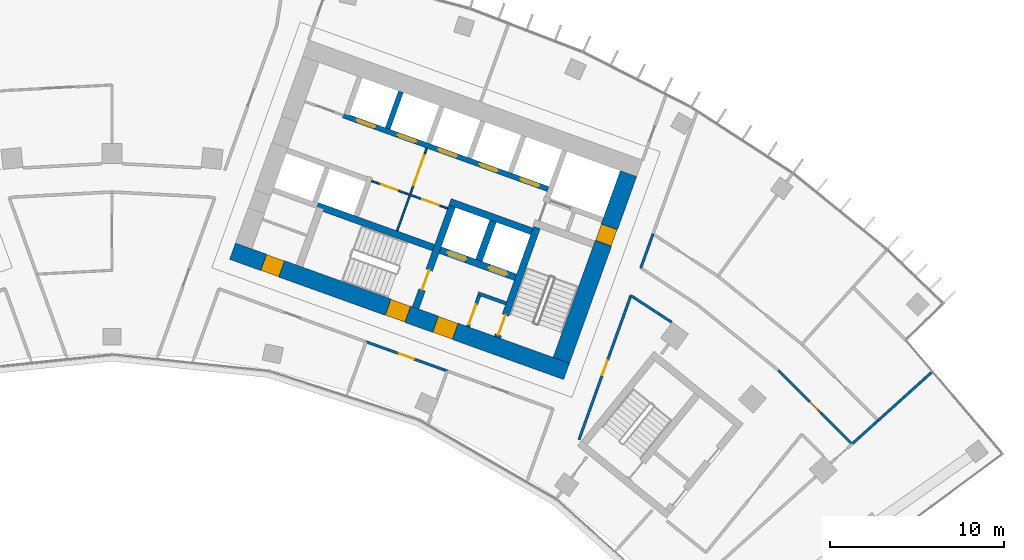
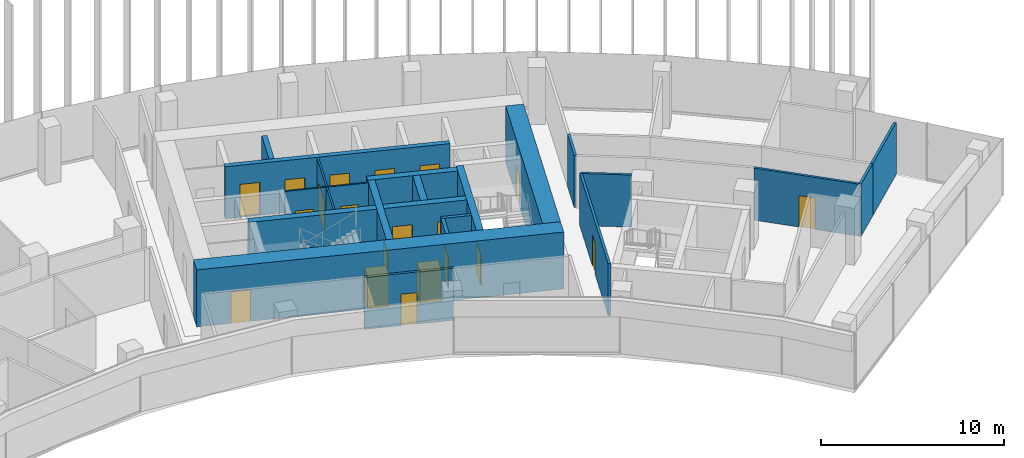
# One storey, part 16 of 20: 20 doors, 20 walls, 20 openings.
"""IFC4 building model written with IfcOpenShell, lengths in metres."""

from ifc_helpers import new_model, si_unit, direction, frame, frame_2d, origin, place, context, subcontext, project, spatial, rectangle, extrude, material, layer, layer_set, type_object, element, fill, save


model = new_model("IFC4")

# Units and contexts
model_context = context("Model", 3, precision=1e-05, world=origin(), true_north=direction((0.0, 1.0)))
body_context = subcontext(model_context, "Body", "Model", "MODEL_VIEW")
ifc_project = project(units=[si_unit("LENGTHUNIT", "METRE"), si_unit("AREAUNIT", "SQUARE_METRE"), si_unit("VOLUMEUNIT", "CUBIC_METRE"), si_unit("PLANEANGLEUNIT", "RADIAN"), si_unit("MASSUNIT", "GRAM", prefix="KILO")], contexts=[model_context])

# Site, building, storey
site_placement = place(None, origin())
site = spatial("IfcSite", under=ifc_project, at=site_placement, CompositionType="ELEMENT")
building_placement = place(site_placement, origin())
building = spatial("IfcBuilding", under=site, at=building_placement, Name="Stone Belt Terrace Tower", CompositionType="ELEMENT")
storey_placement = place(building_placement, frame((0.0, 0.0, 201.0)))
storey = spatial("IfcBuildingStorey", under=building, at=storey_placement, Name="L48", CompositionType="ELEMENT", Elevation=201.0)

# Wall, openings, doors
ifc_material_1 = material(Name="Plasterboard partition")
ifc_layer_1 = layer(ifc_material_1, 0.10009765625)
ifc_layer_set_1 = layer_set([ifc_layer_1], Name="Core partition 100")
wall_type_1 = type_object("IfcWallType", Name="Core partition 100", PredefinedType="PARTITIONING", material=ifc_layer_set_1)
wall_1_placement = place(storey_placement, frame((19.29052734375, 51.829833984375, 0.0), z_axis=(0.0, 0.0, 1.0), x_axis=(-0.940930240745, 0.338600475563, 0.0)))
wall_1 = element("IfcWall", 1, at=wall_1_placement, inside=storey, type_object=wall_type_1, Name="Core B wall", PredefinedType="PARTITIONING", context=body_context, shape_type="SweptSolid", body=[
    extrude(rectangle(XDim=4.64990234375, YDim=0.10009765625, at=frame_2d((2.324951171875, 0.0))), origin(), (0.0, 0.0, 1.0), 3.47998046875),
])
opening_1_placement = place(wall_1_placement, frame((0.550048828125, 0.0, 0.0)))
opening_1 = element("IfcOpeningElement", 2, at=opening_1_placement, cuts=wall_1, Name="Opening L48-C16", PredefinedType="OPENING", context=body_context, shape_type="SweptSolid", body=[
    extrude(rectangle(XDim=1.0, YDim=2.10009765625, at=frame_2d((0.5, 1.050048828125))), frame((0.0, 0.06005859375, 0.0), z_axis=(0.0, -1.0, 0.0), x_axis=(1.0, 0.0, 0.0)), (0.0, 0.0, 1.0), 0.1201171875),
])
opening_2_placement = place(wall_1_placement, frame((3.050048828125, 0.0, 0.0)))
opening_2 = element("IfcOpeningElement", 3, at=opening_2_placement, cuts=wall_1, Name="Opening L48-C17", PredefinedType="OPENING", context=body_context, shape_type="SweptSolid", body=[
    extrude(rectangle(XDim=1.0, YDim=2.10009765625, at=frame_2d((0.5, 1.050048828125))), frame((0.0, 0.06005859375, 0.0), z_axis=(0.0, -1.0, 0.0), x_axis=(1.0, 0.0, 0.0)), (0.0, 0.0, 1.0), 0.1201171875),
])
ifc_material_2 = material(Name="Timber door leaf", Category="wood")
door_type_1 = type_object("IfcDoorType", Name="Core room door 1000", OperationType="SINGLE_SWING_LEFT", PredefinedType="DOOR", material=ifc_material_2)
door_1_placement = place(opening_1_placement, origin())
door_1 = element("IfcDoor", 4, at=door_1_placement, inside=storey, type_object=door_type_1, Name="Door to Telecommunications room core B", OperationType="SINGLE_SWING_RIGHT", OverallHeight=2.10009765625, OverallWidth=1.0, PredefinedType="DOOR", context=body_context, shape_type="SweptSolid", body=[
    extrude(rectangle(XDim=1.0, YDim=2.10009765625, at=frame_2d((0.5, 1.050048828125))), frame((0.0, 0.02490234375, 0.0), z_axis=(0.0, -1.0, 0.0), x_axis=(1.0, 0.0, 0.0)), (0.0, 0.0, 1.0), 0.050048828125),
])
fill(opening_1, door_1)
door_2_placement = place(opening_2_placement, origin())
door_2 = element("IfcDoor", 5, at=door_2_placement, inside=storey, type_object=door_type_1, Name="Door to Archive store core B", OperationType="SINGLE_SWING_LEFT", OverallHeight=2.10009765625, OverallWidth=1.0, PredefinedType="DOOR", context=body_context, shape_type="SweptSolid", body=[
    extrude(rectangle(XDim=1.0, YDim=2.10009765625, at=frame_2d((0.5, 1.050048828125))), frame((0.0, 0.02490234375, 0.0), z_axis=(0.0, -1.0, 0.0), x_axis=(1.0, 0.0, 0.0)), (0.0, 0.0, 1.0), 0.050048828125),
])
fill(opening_2, door_2)

# Wall, opening, door
wall_2_placement = place(storey_placement, frame((16.38134765625, 50.53857421875, 0.0), z_axis=(0.0, 0.0, 1.0), x_axis=(0.33860476744, 0.940928696271, 0.0)))
wall_2 = element("IfcWall", 6, at=wall_2_placement, inside=storey, type_object=wall_type_1, Name="Core B wall", PredefinedType="PARTITIONING", context=body_context, shape_type="SweptSolid", body=[
    extrude(rectangle(XDim=5.050048828125, YDim=0.10009765625, at=frame_2d((2.52490234375, 0.0))), origin(), (0.0, 0.0, 1.0), 3.47998046875),
])
opening_3_placement = place(wall_2_placement, frame((2.800048828125, 0.0, 0.0)))
opening_3 = element("IfcOpeningElement", 7, at=opening_3_placement, cuts=wall_2, Name="Opening L48-C20", PredefinedType="OPENING", context=body_context, shape_type="SweptSolid", body=[
    extrude(rectangle(XDim=1.800048828125, YDim=2.10009765625, at=frame_2d((0.89990234375, 1.050048828125))), frame((0.0, 0.06005859375, 0.0), z_axis=(0.0, -1.0, 0.0), x_axis=(1.0, 0.0, 0.0)), (0.0, 0.0, 1.0), 0.1201171875),
])
ifc_material_3 = material(Name="Glazed aluminium door leaf", Category="aluminium")
door_type_2 = type_object("IfcDoorType", Name="Lift lobby entrance door 1800", OperationType="DOUBLE_DOOR_SINGLE_SWING", PredefinedType="DOOR", material=ifc_material_3)
door_3_placement = place(opening_3_placement, origin())
door_3 = element("IfcDoor", 8, at=door_3_placement, inside=storey, type_object=door_type_2, Name="Lift lobby double door core B", OperationType="DOUBLE_DOOR_SINGLE_SWING", OverallHeight=2.10009765625, OverallWidth=1.800048828125, PredefinedType="DOOR", context=body_context, shape_type="SweptSolid", body=[
    extrude(rectangle(XDim=1.800048828125, YDim=2.10009765625, at=frame_2d((0.89990234375, 1.050048828125))), frame((0.0, 0.02490234375, 0.0), z_axis=(0.0, -1.0, 0.0), x_axis=(1.0, 0.0, 0.0)), (0.0, 0.0, 1.0), 0.050048828125),
])
fill(opening_3, door_3)

# Wall, openings, doors
ifc_material_4 = material(Name="Concrete B60", Category="concrete")
ifc_layer_2 = layer(ifc_material_4, 1.0)
ifc_layer_set_2 = layer_set([ifc_layer_2], Name="Core wall 1000 B60")
wall_type_2 = type_object("IfcWallType", Name="Core wall 1000 B60", PredefinedType="SHEAR", material=ifc_layer_set_2)
wall_3_placement = place(storey_placement, frame((6.927490234375, 49.370849609375, 0.0), z_axis=(0.0, 0.0, 1.0), x_axis=(0.940921428504, -0.338624962727, 0.0)))
wall_3 = element("IfcWall", 9, at=wall_3_placement, inside=storey, type_object=wall_type_2, Name="Core B wall concave L48", PredefinedType="SHEAR", context=body_context, shape_type="SweptSolid", body=[
    extrude(rectangle(XDim=20.400146484375, YDim=1.0, at=frame_2d((10.2001953125, 0.0))), origin(), (0.0, 0.0, 1.0), 3.800048828125),
])
opening_4_placement = place(wall_3_placement, frame((12.39990234375, 0.0, 0.0)))
opening_4 = element("IfcOpeningElement", 10, at=opening_4_placement, cuts=wall_3, Name="Opening L48-C24", PredefinedType="OPENING", context=body_context, shape_type="SweptSolid", body=[
    extrude(rectangle(XDim=1.199951171875, YDim=2.10009765625, at=frame_2d((0.60009765625, 1.050048828125))), frame((0.0, 0.510009765625, 0.0), z_axis=(0.0, -1.0, 0.0), x_axis=(1.0, 0.0, 0.0)), (0.0, 0.0, 1.0), 1.02001953125),
])
opening_5_placement = place(wall_3_placement, frame((9.5, 0.0, 0.0)))
opening_5 = element("IfcOpeningElement", 11, at=opening_5_placement, cuts=wall_3, Name="Opening L48-C26", PredefinedType="OPENING", context=body_context, shape_type="SweptSolid", body=[
    extrude(rectangle(XDim=1.199951171875, YDim=2.10009765625, at=frame_2d((0.60009765625, 1.050048828125))), frame((0.0, 0.510009765625, 0.0), z_axis=(0.0, -1.0, 0.0), x_axis=(1.0, 0.0, 0.0)), (0.0, 0.0, 1.0), 1.02001953125),
])
opening_6_placement = place(wall_3_placement, frame((1.89990234375, 0.0, 0.0)))
opening_6 = element("IfcOpeningElement", 12, at=opening_6_placement, cuts=wall_3, Name="Opening L48-C28", PredefinedType="OPENING", context=body_context, shape_type="SweptSolid", body=[
    extrude(rectangle(XDim=1.10009765625, YDim=2.10009765625, at=frame_2d((0.550048828125, 1.050048828125))), frame((0.0, 0.510009765625, 0.0), z_axis=(0.0, -1.0, 0.0), x_axis=(1.0, 0.0, 0.0)), (0.0, 0.0, 1.0), 1.02001953125),
])
door_type_3 = type_object("IfcDoorType", Name="Core room door 1100", OperationType="SINGLE_SWING_LEFT", PredefinedType="DOOR", material=ifc_material_2)
door_4_placement = place(opening_6_placement, origin())
door_4 = element("IfcDoor", 13, at=door_4_placement, inside=storey, type_object=door_type_3, Name="Door to Cleaner's store core B", OperationType="SINGLE_SWING_RIGHT", OverallHeight=2.10009765625, OverallWidth=1.10009765625, PredefinedType="DOOR", context=body_context, shape_type="SweptSolid", body=[
    extrude(rectangle(XDim=1.10009765625, YDim=2.10009765625, at=frame_2d((0.550048828125, 1.050048828125))), frame((0.0, 0.47998046875, 0.0), z_axis=(0.0, -1.0, 0.0), x_axis=(1.0, 0.0, 0.0)), (0.0, 0.0, 1.0), 0.9599609375),
])
fill(opening_6, door_4)
ifc_material_5 = material(Name="Steel door leaf", Category="steel")
door_type_4 = type_object("IfcDoorType", Name="Fire-fighting lobby door 1200", OperationType="SINGLE_SWING_LEFT", PredefinedType="DOOR", material=ifc_material_5)
door_5_placement = place(opening_4_placement, origin())
door_5 = element("IfcDoor", 14, at=door_5_placement, inside=storey, type_object=door_type_4, Name="Fire-fighting lobby door core B", OperationType="SINGLE_SWING_RIGHT", OverallHeight=2.10009765625, OverallWidth=1.199951171875, PredefinedType="DOOR", context=body_context, shape_type="SweptSolid", body=[
    extrude(rectangle(XDim=1.199951171875, YDim=2.10009765625, at=frame_2d((0.60009765625, 1.050048828125))), frame((0.0, 0.47998046875, 0.0), z_axis=(0.0, -1.0, 0.0), x_axis=(1.0, 0.0, 0.0)), (0.0, 0.0, 1.0), 0.9599609375),
])
fill(opening_4, door_5)
door_type_5 = type_object("IfcDoorType", Name="Stair door 1200", OperationType="SINGLE_SWING_LEFT", PredefinedType="DOOR", material=ifc_material_5)
door_6_placement = place(opening_5_placement, origin())
door_6 = element("IfcDoor", 15, at=door_6_placement, inside=storey, type_object=door_type_5, Name="Stair 2 exit door core B", OperationType="SINGLE_SWING_LEFT", OverallHeight=2.10009765625, OverallWidth=1.199951171875, PredefinedType="DOOR", context=body_context, shape_type="SweptSolid", body=[
    extrude(rectangle(XDim=1.199951171875, YDim=2.10009765625, at=frame_2d((0.60009765625, 1.050048828125))), frame((0.0, 0.47998046875, 0.0), z_axis=(0.0, -1.0, 0.0), x_axis=(1.0, 0.0, 0.0)), (0.0, 0.0, 1.0), 0.9599609375),
])
fill(opening_5, door_6)

# Wall, opening, door
wall_4_placement = place(storey_placement, frame((25.821044921875, 43.102783203125, 0.0), z_axis=(0.0, 0.0, 1.0), x_axis=(0.338625431531, 0.940921259788, 0.0)))
wall_4 = element("IfcWall", 16, at=wall_4_placement, inside=storey, type_object=wall_type_2, Name="Core B wall end_b L48", PredefinedType="SHEAR", context=body_context, shape_type="SweptSolid", body=[
    extrude(rectangle(XDim=11.400146484375, YDim=1.0, at=frame_2d((5.7001953125, 0.0))), origin(), (0.0, 0.0, 1.0), 3.800048828125),
])
opening_7_placement = place(wall_4_placement, frame((7.14990234375, 0.0, 0.0)))
opening_7 = element("IfcOpeningElement", 17, at=opening_7_placement, cuts=wall_4, Name="Opening L48-C18", PredefinedType="OPENING", context=body_context, shape_type="SweptSolid", body=[
    extrude(rectangle(XDim=1.0, YDim=2.10009765625, at=frame_2d((0.5, 1.050048828125))), frame((0.0, 0.510009765625, 0.0), z_axis=(0.0, -1.0, 0.0), x_axis=(1.0, 0.0, 0.0)), (0.0, 0.0, 1.0), 1.02001953125),
])
door_7_placement = place(opening_7_placement, origin())
door_7 = element("IfcDoor", 18, at=door_7_placement, inside=storey, type_object=door_type_1, Name="Door to Telecommunications riser room core B", OperationType="SINGLE_SWING_LEFT", OverallHeight=2.10009765625, OverallWidth=1.0, PredefinedType="DOOR", context=body_context, shape_type="SweptSolid", body=[
    extrude(rectangle(XDim=1.0, YDim=2.10009765625, at=frame_2d((0.5, 1.050048828125))), frame((0.0, 0.47998046875, 0.0), z_axis=(0.0, -1.0, 0.0), x_axis=(1.0, 0.0, 0.0)), (0.0, 0.0, 1.0), 0.949951171875),
])
fill(opening_7, door_7)

# Walls
ifc_material_6 = material(Name="Concrete B80", Category="concrete")
ifc_layer_3 = layer(ifc_material_6, 0.39990234375)
ifc_layer_set_3 = layer_set([ifc_layer_3], Name="Fire-fighting lift shaft wall 400")
wall_type_3 = type_object("IfcWallType", Name="Fire-fighting lift shaft wall 400", PredefinedType="SHEAR", material=ifc_layer_set_3)
wall_5_placement = place(storey_placement, frame((24.130615234375, 50.512939453125, 0.0), z_axis=(0.0, 0.0, 1.0), x_axis=(-0.94091168377, 0.338652038744, 0.0)))
element("IfcWall", 19, at=wall_5_placement, inside=storey, type_object=wall_type_3, Name="Core B wall", PredefinedType="SHEAR", context=body_context, shape_type="SweptSolid", body=[
    extrude(rectangle(XDim=5.000244140625, YDim=0.39990234375, at=frame_2d((2.5, 0.0))), origin(), (0.0, 0.0, 1.0), 3.47998046875),
])
wall_6_placement = place(storey_placement, frame((21.0859375, 48.845458984375, 0.0), z_axis=(0.0, 0.0, 1.0), x_axis=(0.338629416206, 0.940919825745, 0.0)))
element("IfcWall", 20, at=wall_6_placement, inside=storey, type_object=wall_type_3, Name="Core B wall", PredefinedType="SHEAR", context=body_context, shape_type="SweptSolid", body=[
    extrude(rectangle(XDim=2.400146484375, YDim=0.39990234375, at=frame_2d((1.2001953125, 0.0))), origin(), (0.0, 0.0, 1.0), 3.47998046875),
])

# Wall, openings, doors
ifc_layer_4 = layer(ifc_material_6, 0.300048828125)
ifc_layer_set_4 = layer_set([ifc_layer_4], Name="Lift shaft wall 300")
wall_type_4 = type_object("IfcWallType", Name="Lift shaft wall 300", PredefinedType="SHEAR", material=ifc_layer_set_4)
wall_7_placement = place(storey_placement, frame((25.05810546875, 52.9423828125, 0.0), z_axis=(0.0, 0.0, 1.0), x_axis=(-0.940920770291, 0.338626791666, 0.0)))
wall_7 = element("IfcWall", 21, at=wall_7_placement, inside=storey, type_object=wall_type_4, Name="Core B wall", PredefinedType="SHEAR", context=body_context, shape_type="SweptSolid", body=[
    extrude(rectangle(XDim=12.500244140625, YDim=0.300048828125, at=frame_2d((6.25, 0.0))), origin(), (0.0, 0.0, 1.0), 3.47998046875),
])
opening_8_placement = place(wall_7_placement, frame((0.570068359375, 0.0, 0.0)))
opening_8 = element("IfcOpeningElement", 22, at=opening_8_placement, cuts=wall_7, Name="Opening L48-LD09", PredefinedType="OPENING", context=body_context, shape_type="SweptSolid", body=[
    extrude(rectangle(XDim=1.10009765625, YDim=2.199951171875, at=frame_2d((0.550048828125, 1.10009765625))), frame((0.0, 0.159912109375, 0.0), z_axis=(0.0, -1.0, 0.0), x_axis=(1.0, 0.0, 0.0)), (0.0, 0.0, 1.0), 0.320068359375),
])
opening_9_placement = place(wall_7_placement, frame((3.070068359375, 0.0, 0.0)))
opening_9 = element("IfcOpeningElement", 23, at=opening_9_placement, cuts=wall_7, Name="Opening L48-LD10", PredefinedType="OPENING", context=body_context, shape_type="SweptSolid", body=[
    extrude(rectangle(XDim=1.10009765625, YDim=2.199951171875, at=frame_2d((0.550048828125, 1.10009765625))), frame((0.0, 0.159912109375, 0.0), z_axis=(0.0, -1.0, 0.0), x_axis=(1.0, 0.0, 0.0)), (0.0, 0.0, 1.0), 0.320068359375),
])
opening_10_placement = place(wall_7_placement, frame((5.570068359375, 0.0, 0.0)))
opening_10 = element("IfcOpeningElement", 24, at=opening_10_placement, cuts=wall_7, Name="Opening L48-LD11", PredefinedType="OPENING", context=body_context, shape_type="SweptSolid", body=[
    extrude(rectangle(XDim=1.10009765625, YDim=2.199951171875, at=frame_2d((0.550048828125, 1.10009765625))), frame((0.0, 0.159912109375, 0.0), z_axis=(0.0, -1.0, 0.0), x_axis=(1.0, 0.0, 0.0)), (0.0, 0.0, 1.0), 0.320068359375),
])
opening_11_placement = place(wall_7_placement, frame((8.070068359375, 0.0, 0.0)))
opening_11 = element("IfcOpeningElement", 25, at=opening_11_placement, cuts=wall_7, Name="Opening L48-LD12", PredefinedType="OPENING", context=body_context, shape_type="SweptSolid", body=[
    extrude(rectangle(XDim=1.10009765625, YDim=2.199951171875, at=frame_2d((0.550048828125, 1.10009765625))), frame((0.0, 0.159912109375, 0.0), z_axis=(0.0, -1.0, 0.0), x_axis=(1.0, 0.0, 0.0)), (0.0, 0.0, 1.0), 0.320068359375),
])
opening_12_placement = place(wall_7_placement, frame((10.570068359375, 0.0, 0.0)))
opening_12 = element("IfcOpeningElement", 26, at=opening_12_placement, cuts=wall_7, Name="Opening L48-LD13", PredefinedType="OPENING", context=body_context, shape_type="SweptSolid", body=[
    extrude(rectangle(XDim=1.10009765625, YDim=2.199951171875, at=frame_2d((0.550048828125, 1.10009765625))), frame((0.0, 0.159912109375, 0.0), z_axis=(0.0, -1.0, 0.0), x_axis=(1.0, 0.0, 0.0)), (0.0, 0.0, 1.0), 0.320068359375),
])
ifc_material_7 = material(Name="Stainless steel door leaf", Category="steel")
door_type_6 = type_object("IfcDoorType", Name="Landing door 1100", OperationType="SLIDING_TO_LEFT", PredefinedType="DOOR", material=ifc_material_7)
door_8_placement = place(opening_8_placement, origin())
door_8 = element("IfcDoor", 27, at=door_8_placement, inside=storey, type_object=door_type_6, Name="Landing door MR1 core B", OperationType="SLIDING_TO_LEFT", OverallHeight=2.199951171875, OverallWidth=1.10009765625, PredefinedType="DOOR", context=body_context, shape_type="SweptSolid", body=[
    extrude(rectangle(XDim=1.10009765625, YDim=2.199951171875, at=frame_2d((0.550048828125, 1.10009765625))), frame((0.0, 0.02490234375, 0.0), z_axis=(0.0, -1.0, 0.0), x_axis=(1.0, 0.0, 0.0)), (0.0, 0.0, 1.0), 0.050048828125),
])
fill(opening_8, door_8)
door_9_placement = place(opening_9_placement, origin())
door_9 = element("IfcDoor", 28, at=door_9_placement, inside=storey, type_object=door_type_6, Name="Landing door MR2 core B", OperationType="SLIDING_TO_LEFT", OverallHeight=2.199951171875, OverallWidth=1.10009765625, PredefinedType="DOOR", context=body_context, shape_type="SweptSolid", body=[
    extrude(rectangle(XDim=1.10009765625, YDim=2.199951171875, at=frame_2d((0.550048828125, 1.10009765625))), frame((0.0, 0.02490234375, 0.0), z_axis=(0.0, -1.0, 0.0), x_axis=(1.0, 0.0, 0.0)), (0.0, 0.0, 1.0), 0.050048828125),
])
fill(opening_9, door_9)
door_10_placement = place(opening_10_placement, origin())
door_10 = element("IfcDoor", 29, at=door_10_placement, inside=storey, type_object=door_type_6, Name="Landing door MR3 core B", OperationType="SLIDING_TO_LEFT", OverallHeight=2.199951171875, OverallWidth=1.10009765625, PredefinedType="DOOR", context=body_context, shape_type="SweptSolid", body=[
    extrude(rectangle(XDim=1.10009765625, YDim=2.199951171875, at=frame_2d((0.550048828125, 1.10009765625))), frame((0.0, 0.02490234375, 0.0), z_axis=(0.0, -1.0, 0.0), x_axis=(1.0, 0.0, 0.0)), (0.0, 0.0, 1.0), 0.050048828125),
])
fill(opening_10, door_10)
door_11_placement = place(opening_11_placement, origin())
door_11 = element("IfcDoor", 30, at=door_11_placement, inside=storey, type_object=door_type_6, Name="Landing door MR4 core B", OperationType="SLIDING_TO_LEFT", OverallHeight=2.199951171875, OverallWidth=1.10009765625, PredefinedType="DOOR", context=body_context, shape_type="SweptSolid", body=[
    extrude(rectangle(XDim=1.10009765625, YDim=2.199951171875, at=frame_2d((0.550048828125, 1.10009765625))), frame((0.0, 0.02490234375, 0.0), z_axis=(0.0, -1.0, 0.0), x_axis=(1.0, 0.0, 0.0)), (0.0, 0.0, 1.0), 0.050048828125),
])
fill(opening_11, door_11)
door_12_placement = place(opening_12_placement, origin())
door_12 = element("IfcDoor", 31, at=door_12_placement, inside=storey, type_object=door_type_6, Name="Landing door MR5 core B", OperationType="SLIDING_TO_LEFT", OverallHeight=2.199951171875, OverallWidth=1.10009765625, PredefinedType="DOOR", context=body_context, shape_type="SweptSolid", body=[
    extrude(rectangle(XDim=1.10009765625, YDim=2.199951171875, at=frame_2d((0.550048828125, 1.10009765625))), frame((0.0, 0.02490234375, 0.0), z_axis=(0.0, -1.0, 0.0), x_axis=(1.0, 0.0, 0.0)), (0.0, 0.0, 1.0), 0.050048828125),
])
fill(opening_12, door_12)

# Wall
wall_8_placement = place(storey_placement, frame((15.8408203125, 56.419189453125, 0.0), z_axis=(0.0, 0.0, 1.0), x_axis=(0.338569601369, 0.940941350472, 0.0)))
element("IfcWall", 32, at=wall_8_placement, inside=storey, type_object=wall_type_4, Name="Core B wall", PredefinedType="SHEAR", context=body_context, shape_type="SweptSolid", body=[
    extrude(rectangle(XDim=2.249755859375, YDim=0.300048828125, at=frame_2d((1.125, 0.0))), origin(), (0.0, 0.0, 1.0), 3.47998046875),
])

# Wall, opening, door
ifc_material_8 = material(Name="Gypsum board partition")
ifc_layer_5 = layer(ifc_material_8, 0.14990234375)
ifc_layer_set_5 = layer_set([ifc_layer_5], Name="PARTITION 150 EI 60")
wall_type_5 = type_object("IfcWallType", Name="PARTITION 150 EI 60", PredefinedType="PARTITIONING", material=ifc_layer_set_5)
wall_9_placement = place(storey_placement, frame((29.819091796875, 46.826904296875, 0.0), z_axis=(0.0, 0.0, 1.0), x_axis=(-0.338620385032, -0.940923075942, 0.0)))
wall_9 = element("IfcWall", 33, at=wall_9_placement, inside=storey, type_object=wall_type_5, Name="L48/wall/i027", PredefinedType="PARTITIONING", context=body_context, shape_type="SweptSolid", body=[
    extrude(rectangle(XDim=8.8125, YDim=0.14990234375, at=frame_2d((4.40625, 0.0))), origin(), (0.0, 0.0, 1.0), 3.47998046875),
])
opening_13_placement = place(wall_9_placement, frame((3.956298828125, 0.0, 0.0)))
opening_13 = element("IfcOpeningElement", 34, at=opening_13_placement, cuts=wall_9, Name="Opening D-D1-12", PredefinedType="OPENING", context=body_context, shape_type="SweptSolid", body=[
    extrude(rectangle(XDim=0.89990234375, YDim=2.10009765625, at=frame_2d((0.449951171875, 1.050048828125))), frame((0.0, 0.0849609375, 0.0), z_axis=(0.0, -1.0, 0.0), x_axis=(1.0, 0.0, 0.0)), (0.0, 0.0, 1.0), 0.169921875),
])
door_type_7 = type_object("IfcDoorType", Name="OFFICE DOOR 900 X 2100", OperationType="NOTDEFINED", PredefinedType="DOOR", material=ifc_material_2)
door_13_placement = place(opening_13_placement, origin())
door_13 = element("IfcDoor", 35, at=door_13_placement, inside=storey, type_object=door_type_7, Name="L48/door/i12", OperationType="SINGLE_SWING_RIGHT", OverallHeight=2.10009765625, OverallWidth=0.89990234375, PredefinedType="DOOR", context=body_context, shape_type="SweptSolid", body=[
    extrude(rectangle(XDim=0.89990234375, YDim=2.10009765625, at=frame_2d((0.449951171875, 1.050048828125))), frame((0.0, 0.02490234375, 0.0), z_axis=(0.0, -1.0, 0.0), x_axis=(1.0, 0.0, 0.0)), (0.0, 0.0, 1.0), 0.050048828125),
])
fill(opening_13, door_13)

# Wall
wall_10_placement = place(storey_placement, frame((31.092041015625, 50.363037109375, 0.0), z_axis=(0.0, 0.0, 1.0), x_axis=(-0.338719468273, -0.940887411869, 0.0)))
element("IfcWall", 36, at=wall_10_placement, inside=storey, type_object=wall_type_5, Name="L48/wall/i030", PredefinedType="PARTITIONING", context=body_context, shape_type="SweptSolid", body=[
    extrude(rectangle(XDim=2.075927734375, YDim=0.14990234375, at=frame_2d((1.0380859375, 0.0))), origin(), (0.0, 0.0, 1.0), 3.47998046875),
])

# Wall, opening, door
wall_11_placement = place(storey_placement, frame((19.27001953125, 42.485107421875, 0.0), z_axis=(0.0, 0.0, 1.0), x_axis=(-0.940919972966, 0.338629007135, 0.0)))
wall_11 = element("IfcWall", 37, at=wall_11_placement, inside=storey, type_object=wall_type_5, Name="L48/wall/i033", PredefinedType="PARTITIONING", context=body_context, shape_type="SweptSolid", body=[
    extrude(rectangle(XDim=4.9697265625, YDim=0.14990234375, at=frame_2d((2.48486328125, 0.0))), origin(), (0.0, 0.0, 1.0), 3.47998046875),
])
opening_14_placement = place(wall_11_placement, frame((2.034912109375, 0.0, 0.0)))
opening_14 = element("IfcOpeningElement", 38, at=opening_14_placement, cuts=wall_11, Name="Opening D-D1-07", PredefinedType="OPENING", context=body_context, shape_type="SweptSolid", body=[
    extrude(rectangle(XDim=0.89990234375, YDim=2.10009765625, at=frame_2d((0.449951171875, 1.050048828125))), frame((0.0, 0.0849609375, 0.0), z_axis=(0.0, -1.0, 0.0), x_axis=(1.0, 0.0, 0.0)), (0.0, 0.0, 1.0), 0.169921875),
])
door_14_placement = place(opening_14_placement, origin())
door_14 = element("IfcDoor", 39, at=door_14_placement, inside=storey, type_object=door_type_7, Name="L48/door/i07", OperationType="SINGLE_SWING_RIGHT", OverallHeight=2.10009765625, OverallWidth=0.89990234375, PredefinedType="DOOR", context=body_context, shape_type="SweptSolid", body=[
    extrude(rectangle(XDim=0.89990234375, YDim=2.10009765625, at=frame_2d((0.449951171875, 1.050048828125))), frame((0.0, 0.02490234375, 0.0), z_axis=(0.0, -1.0, 0.0), x_axis=(1.0, 0.0, 0.0)), (0.0, 0.0, 1.0), 0.050048828125),
])
fill(opening_14, door_14)

# Walls
wall_12_placement = place(storey_placement, frame((42.52197265625, 38.287109375, 0.0), z_axis=(0.0, 0.0, 1.0), x_axis=(0.74306127458, 0.669223387382, 0.0)))
element("IfcWall", 40, at=wall_12_placement, inside=storey, type_object=wall_type_5, Name="L48/wall/i041", PredefinedType="PARTITIONING", context=body_context, shape_type="SweptSolid", body=[
    extrude(rectangle(XDim=2.033447265625, YDim=0.14990234375, at=frame_2d((1.0166015625, 0.0))), origin(), (0.0, 0.0, 1.0), 3.47998046875),
])
wall_13_placement = place(storey_placement, frame((44.02490234375, 39.639892578125, 0.0), z_axis=(0.0, 0.0, 1.0), x_axis=(0.743144572165, 0.66913088769, 0.0)))
element("IfcWall", 41, at=wall_13_placement, inside=storey, type_object=wall_type_5, Name="L48/wall/i042", PredefinedType="PARTITIONING", context=body_context, shape_type="SweptSolid", body=[
    extrude(rectangle(XDim=4.1396484375, YDim=0.14990234375, at=frame_2d((2.06982421875, 0.0))), origin(), (0.0, 0.0, 1.0), 3.47998046875),
])
wall_14_placement = place(storey_placement, frame((32.15869140625, 45.2919921875, 0.0), z_axis=(0.0, 0.0, 1.0), x_axis=(-0.837346388284, 0.546672686374, 0.0)))
element("IfcWall", 42, at=wall_14_placement, inside=storey, type_object=wall_type_5, Name="L48/wall/i044", PredefinedType="PARTITIONING", context=body_context, shape_type="SweptSolid", body=[
    extrude(rectangle(XDim=2.795166015625, YDim=0.14990234375, at=frame_2d((1.3974609375, 0.0))), origin(), (0.0, 0.0, 1.0), 3.47998046875),
])

# Wall, opening, door
wall_15_placement = place(storey_placement, frame((38.291015625, 42.52587890625, 0.0), z_axis=(0.0, 0.0, 1.0), x_axis=(0.707106781187, -0.707106781187, 0.0)))
wall_15 = element("IfcWall", 43, at=wall_15_placement, inside=storey, type_object=wall_type_5, Name="L48/wall/i048", PredefinedType="PARTITIONING", context=body_context, shape_type="SweptSolid", body=[
    extrude(rectangle(XDim=5.989013671875, YDim=0.14990234375, at=frame_2d((2.99462890625, 0.0))), origin(), (0.0, 0.0, 1.0), 3.47998046875),
])
opening_15_placement = place(wall_15_placement, frame((2.544677734375, 0.0, 0.0)))
opening_15 = element("IfcOpeningElement", 44, at=opening_15_placement, cuts=wall_15, Name="Opening D-D1-15", PredefinedType="OPENING", context=body_context, shape_type="SweptSolid", body=[
    extrude(rectangle(XDim=0.89990234375, YDim=2.10009765625, at=frame_2d((0.449951171875, 1.050048828125))), frame((0.0, 0.0849609375, 0.0), z_axis=(0.0, -1.0, 0.0), x_axis=(1.0, 0.0, 0.0)), (0.0, 0.0, 1.0), 0.169921875),
])
door_15_placement = place(opening_15_placement, origin())
door_15 = element("IfcDoor", 45, at=door_15_placement, inside=storey, type_object=door_type_7, Name="L48/door/i15", OperationType="SINGLE_SWING_RIGHT", OverallHeight=2.10009765625, OverallWidth=0.89990234375, PredefinedType="DOOR", context=body_context, shape_type="SweptSolid", body=[
    extrude(rectangle(XDim=0.89990234375, YDim=2.10009765625, at=frame_2d((0.449951171875, 1.050048828125))), frame((0.0, 0.02490234375, 0.0), z_axis=(0.0, -1.0, 0.0), x_axis=(1.0, 0.0, 0.0)), (0.0, 0.0, 1.0), 0.050048828125),
])
fill(opening_15, door_15)

# Wall
ifc_material_9 = material(Name="Concrete masonry block", Category="masonry")
ifc_layer_6 = layer(ifc_material_9, 0.199951171875)
ifc_layer_set_6 = layer_set([ifc_layer_6], Name="Rated lobby wall 200")
wall_type_6 = type_object("IfcWallType", Name="Rated lobby wall 200", PredefinedType="PARTITIONING", material=ifc_layer_set_6)
wall_16_placement = place(storey_placement, frame((22.640625, 46.373046875, 0.0), z_axis=(0.0, 0.0, 1.0), x_axis=(-0.940966110313, 0.338500781747, 0.0)))
element("IfcWall", 46, at=wall_16_placement, inside=storey, type_object=wall_type_6, Name="Core B wall", PredefinedType="PARTITIONING", context=body_context, shape_type="SweptSolid", body=[
    extrude(rectangle(XDim=1.699951171875, YDim=0.199951171875, at=frame_2d((0.85009765625, 0.0))), origin(), (0.0, 0.0, 1.0), 3.47998046875),
])

# Wall, opening, door
wall_17_placement = place(storey_placement, frame((20.4580078125, 45.032958984375, 0.0), z_axis=(0.0, 0.0, 1.0), x_axis=(0.338573865316, 0.940939816208, 0.0)))
wall_17 = element("IfcWall", 47, at=wall_17_placement, inside=storey, type_object=wall_type_6, Name="Core B wall", PredefinedType="PARTITIONING", context=body_context, shape_type="SweptSolid", body=[
    extrude(rectangle(XDim=1.900146484375, YDim=0.199951171875, at=frame_2d((0.9501953125, 0.0))), origin(), (0.0, 0.0, 1.0), 3.47998046875),
])
opening_16_placement = place(wall_17_placement, frame((0.14990234375, 0.0, 0.0)))
opening_16 = element("IfcOpeningElement", 48, at=opening_16_placement, cuts=wall_17, Name="Opening L48-C23", PredefinedType="OPENING", context=body_context, shape_type="SweptSolid", body=[
    extrude(rectangle(XDim=1.199951171875, YDim=2.10009765625, at=frame_2d((0.60009765625, 1.050048828125))), frame((0.0, 0.10986328125, 0.0), z_axis=(0.0, -1.0, 0.0), x_axis=(1.0, 0.0, 0.0)), (0.0, 0.0, 1.0), 0.219970703125),
])
door_16_placement = place(opening_16_placement, origin())
door_16 = element("IfcDoor", 49, at=door_16_placement, inside=storey, type_object=door_type_5, Name="Stair airlock door core B", OperationType="SINGLE_SWING_RIGHT", OverallHeight=2.10009765625, OverallWidth=1.199951171875, PredefinedType="DOOR", context=body_context, shape_type="SweptSolid", body=[
    extrude(rectangle(XDim=1.199951171875, YDim=2.10009765625, at=frame_2d((0.60009765625, 1.050048828125))), frame((0.0, 0.02490234375, 0.0), z_axis=(0.0, -1.0, 0.0), x_axis=(1.0, 0.0, 0.0)), (0.0, 0.0, 1.0), 0.050048828125),
])
fill(opening_16, door_16)

ifc_layer_7 = layer(ifc_material_6, 0.39990234375)
ifc_layer_set_7 = layer_set([ifc_layer_7], Name="Stair enclosure wall 400")
wall_type_7 = type_object("IfcWallType", Name="Stair enclosure wall 400", PredefinedType="SHEAR", material=ifc_layer_set_7)
wall_18_placement = place(storey_placement, frame((22.151611328125, 44.42333984375, 0.0), z_axis=(0.0, 0.0, 1.0), x_axis=(0.338625272931, 0.940921316866, 0.0)))
wall_18 = element("IfcWall", 50, at=wall_18_placement, inside=storey, type_object=wall_type_7, Name="Core B wall", PredefinedType="SHEAR", context=body_context, shape_type="SweptSolid", body=[
    extrude(rectangle(XDim=6.699951171875, YDim=0.39990234375, at=frame_2d((3.35009765625, 0.0))), origin(), (0.0, 0.0, 1.0), 3.47998046875),
])
opening_17_placement = place(wall_18_placement, frame((0.14990234375, 0.0, 0.0)))
opening_17 = element("IfcOpeningElement", 51, at=opening_17_placement, cuts=wall_18, Name="Opening L48-C22", PredefinedType="OPENING", context=body_context, shape_type="SweptSolid", body=[
    extrude(rectangle(XDim=1.199951171875, YDim=2.10009765625, at=frame_2d((0.60009765625, 1.050048828125))), frame((0.0, 0.2099609375, 0.0), z_axis=(0.0, -1.0, 0.0), x_axis=(1.0, 0.0, 0.0)), (0.0, 0.0, 1.0), 0.419921875),
])
door_17_placement = place(opening_17_placement, origin())
door_17 = element("IfcDoor", 52, at=door_17_placement, inside=storey, type_object=door_type_5, Name="Stair 1 door core B", OperationType="SINGLE_SWING_RIGHT", OverallHeight=2.10009765625, OverallWidth=1.199951171875, PredefinedType="DOOR", context=body_context, shape_type="SweptSolid", body=[
    extrude(rectangle(XDim=1.199951171875, YDim=2.10009765625, at=frame_2d((0.60009765625, 1.050048828125))), frame((0.0, 0.02490234375, 0.0), z_axis=(0.0, -1.0, 0.0), x_axis=(1.0, 0.0, 0.0)), (0.0, 0.0, 1.0), 0.050048828125),
])
fill(opening_17, door_17)

# Wall, openings, doors
wall_19_placement = place(storey_placement, frame((23.182373046875, 47.87841796875, 0.0), z_axis=(0.0, 0.0, 1.0), x_axis=(-0.940921101762, 0.338625870628, 0.0)))
wall_19 = element("IfcWall", 53, at=wall_19_placement, inside=storey, type_object=wall_type_7, Name="Core B wall", PredefinedType="SHEAR", context=body_context, shape_type="SweptSolid", body=[
    extrude(rectangle(XDim=12.10009765625, YDim=0.39990234375, at=frame_2d((6.050048828125, 0.0))), origin(), (0.0, 0.0, 1.0), 3.47998046875),
])
opening_18_placement = place(wall_19_placement, frame((0.52001953125, 0.0, 0.0)))
opening_18 = element("IfcOpeningElement", 54, at=opening_18_placement, cuts=wall_19, Name="Opening L48-LD14", PredefinedType="OPENING", context=body_context, shape_type="SweptSolid", body=[
    extrude(rectangle(XDim=1.10009765625, YDim=2.199951171875, at=frame_2d((0.550048828125, 1.10009765625))), frame((0.0, 0.2099609375, 0.0), z_axis=(0.0, -1.0, 0.0), x_axis=(1.0, 0.0, 0.0)), (0.0, 0.0, 1.0), 0.419921875),
])
opening_19_placement = place(wall_19_placement, frame((3.02001953125, 0.0, 0.0)))
opening_19 = element("IfcOpeningElement", 55, at=opening_19_placement, cuts=wall_19, Name="Opening L48-LD15", PredefinedType="OPENING", context=body_context, shape_type="SweptSolid", body=[
    extrude(rectangle(XDim=1.10009765625, YDim=2.199951171875, at=frame_2d((0.550048828125, 1.10009765625))), frame((0.0, 0.2099609375, 0.0), z_axis=(0.0, -1.0, 0.0), x_axis=(1.0, 0.0, 0.0)), (0.0, 0.0, 1.0), 0.419921875),
])
door_18_placement = place(opening_18_placement, origin())
door_18 = element("IfcDoor", 56, at=door_18_placement, inside=storey, type_object=door_type_6, Name="Landing door FF1 core B", OperationType="SLIDING_TO_LEFT", OverallHeight=2.199951171875, OverallWidth=1.10009765625, PredefinedType="DOOR", context=body_context, shape_type="SweptSolid", body=[
    extrude(rectangle(XDim=1.10009765625, YDim=2.199951171875, at=frame_2d((0.550048828125, 1.10009765625))), frame((0.0, 0.02490234375, 0.0), z_axis=(0.0, -1.0, 0.0), x_axis=(1.0, 0.0, 0.0)), (0.0, 0.0, 1.0), 0.050048828125),
])
fill(opening_18, door_18)
door_19_placement = place(opening_19_placement, origin())
door_19 = element("IfcDoor", 57, at=door_19_placement, inside=storey, type_object=door_type_6, Name="Landing door FF2 core B", OperationType="SLIDING_TO_LEFT", OverallHeight=2.199951171875, OverallWidth=1.10009765625, PredefinedType="DOOR", context=body_context, shape_type="SweptSolid", body=[
    extrude(rectangle(XDim=1.10009765625, YDim=2.199951171875, at=frame_2d((0.550048828125, 1.10009765625))), frame((0.0, 0.02490234375, 0.0), z_axis=(0.0, -1.0, 0.0), x_axis=(1.0, 0.0, 0.0)), (0.0, 0.0, 1.0), 0.050048828125),
])
fill(opening_19, door_19)

# Wall, opening, door
wall_20_placement = place(storey_placement, frame((17.447021484375, 46.116455078125, 0.0), z_axis=(0.0, 0.0, 1.0), x_axis=(0.33860791464, 0.940927563707, 0.0)))
wall_20 = element("IfcWall", 58, at=wall_20_placement, inside=storey, type_object=wall_type_7, Name="Core B wall", PredefinedType="SHEAR", context=body_context, shape_type="SweptSolid", body=[
    extrude(rectangle(XDim=6.199951171875, YDim=0.39990234375, at=frame_2d((3.10009765625, 0.0))), origin(), (0.0, 0.0, 1.0), 3.47998046875),
])
opening_20_placement = place(wall_20_placement, frame((1.10009765625, 0.0, 0.0)))
opening_20 = element("IfcOpeningElement", 59, at=opening_20_placement, cuts=wall_20, Name="Opening L48-C25", PredefinedType="OPENING", context=body_context, shape_type="SweptSolid", body=[
    extrude(rectangle(XDim=1.199951171875, YDim=2.10009765625, at=frame_2d((0.60009765625, 1.050048828125))), frame((0.0, 0.2099609375, 0.0), z_axis=(0.0, -1.0, 0.0), x_axis=(1.0, 0.0, 0.0)), (0.0, 0.0, 1.0), 0.419921875),
])
door_20_placement = place(opening_20_placement, origin())
door_20 = element("IfcDoor", 60, at=door_20_placement, inside=storey, type_object=door_type_5, Name="Stair 2 door core B", OperationType="SINGLE_SWING_RIGHT", OverallHeight=2.10009765625, OverallWidth=1.199951171875, PredefinedType="DOOR", context=body_context, shape_type="SweptSolid", body=[
    extrude(rectangle(XDim=1.199951171875, YDim=2.10009765625, at=frame_2d((0.60009765625, 1.050048828125))), frame((0.0, 0.02490234375, 0.0), z_axis=(0.0, -1.0, 0.0), x_axis=(1.0, 0.0, 0.0)), (0.0, 0.0, 1.0), 0.050048828125),
])
fill(opening_20, door_20)

save(model, "model.ifc")
